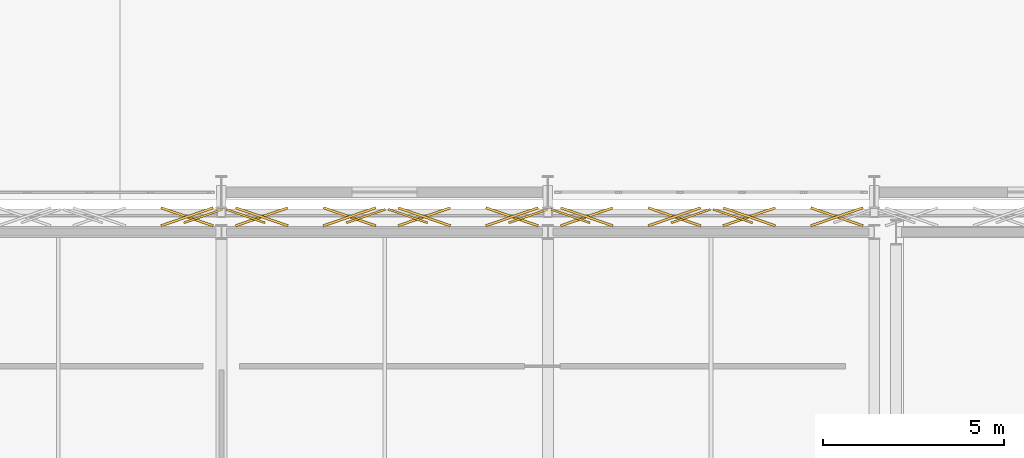
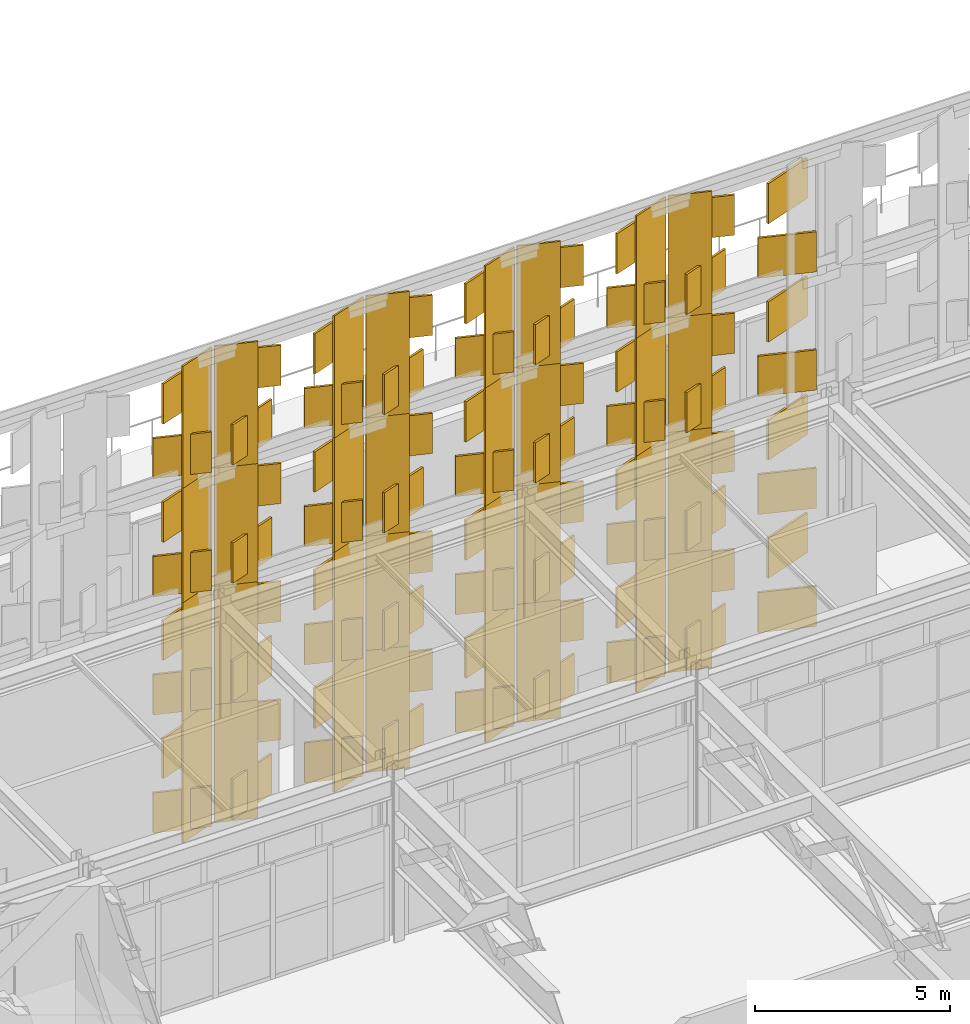
# One storey, part 181 of 210: 104 coverings.
"""IFC4 building model written with IfcOpenShell, lengths in metres."""

from ifc_helpers import new_model, si_unit, direction, frame, origin, origin_2d, place, context, subcontext, project, spatial, rectangle, extrude, material, layer, layer_set, type_object, element, save


model = new_model("IFC4")

# Units and contexts
model_context = context("Model", 3, precision=1e-05, world=origin(), true_north=direction((0.0, 1.0)))
body_context = subcontext(model_context, "Body", "Model", "MODEL_VIEW")
ifc_project = project(units=[si_unit("LENGTHUNIT", "METRE"), si_unit("AREAUNIT", "SQUARE_METRE"), si_unit("VOLUMEUNIT", "CUBIC_METRE"), si_unit("PLANEANGLEUNIT", "RADIAN"), si_unit("MASSUNIT", "GRAM", prefix="KILO")], contexts=[model_context])

# Site, building, storey
site_placement = place(None, origin())
site = spatial("IfcSite", under=ifc_project, at=site_placement, CompositionType="ELEMENT")
building_placement = place(site_placement, origin())
building = spatial("IfcBuilding", under=site, at=building_placement, Name="Kaldris Quays Convention Centre", CompositionType="ELEMENT")
storey_placement = place(building_placement, frame((0.0, 0.0, 6.0)))
storey = spatial("IfcBuildingStorey", under=building, at=storey_placement, Name="L01", CompositionType="ELEMENT", Elevation=6.0)

# Coverings
ifc_material = material(Name="Alabaster white star-pierced anodized aluminium panel", Category="aluminium")
ifc_layer = layer(ifc_material, 0.044921875)
ifc_layer_set = layer_set([ifc_layer], Name="Alabaster white star-pierced anodized aluminium panel")
covering_type = type_object("IfcCoveringType", Name="STAR PIERCED WHITE FOLDED SCREEN CL01", PredefinedType="CLADDING", material=ifc_layer_set)
covering_1_placement = place(storey_placement, frame((64.50341796875, 55.340087890625, -2.2099609375), z_axis=(0.0, 0.0, 1.0), x_axis=(0.945518575599, 0.325568154457, 0.0)))
element("IfcCovering", 1, at=covering_1_placement, inside=storey, type_object=covering_type, Name="V1S Folded White Screen Stile 1297", PredefinedType="CLADDING", context=body_context, shape_type="SweptSolid", body=[
    extrude(rectangle(XDim=1.136962890625, YDim=0.054931640625, at=origin_2d()), origin(), (0.0, 0.0, 1.0), 3.820068359375),
])
for number, where, z_axis, x_axis, name in (
    (2, (64.0556640625, 55.320068359375, -1.92822265625), (0.0, 0.0, 1.0), (0.945518575599, -0.325568154457, 0.0), "V1S Carved Star Corner Facet 1300"),
    (3, (64.0556640625, 55.320068359375, 0.06982421875), (0.0, 0.0, 1.0), (0.945518575599, 0.325568154457, 0.0), "V1S Carved Star Corner Facet 1301"),
):
    element("IfcCovering", number, at=place(storey_placement, frame(where, z_axis=z_axis, x_axis=x_axis)), inside=storey, type_object=covering_type, Name=name, PredefinedType="CLADDING", context=body_context, shape_type="SweptSolid", body=[
        extrude(rectangle(XDim=1.52294921875, YDim=0.06494140625, at=origin_2d()), origin(), (0.0, 0.0, 1.0), 1.258056640625),
    ])
covering_2_placement = place(storey_placement, frame((64.50341796875, 55.340087890625, 1.48974609375), z_axis=(0.0, 0.0, 1.0), x_axis=(0.945518575599, 0.325568154457, 0.0)))
element("IfcCovering", 4, at=covering_2_placement, inside=storey, type_object=covering_type, Name="V1S Folded White Screen Stile 1303", PredefinedType="CLADDING", context=body_context, shape_type="SweptSolid", body=[
    extrude(rectangle(XDim=1.136962890625, YDim=0.054931640625, at=origin_2d()), origin(), (0.0, 0.0, 1.0), 3.820068359375),
])
for number, where, z_axis, x_axis, name in (
    (5, (64.0556640625, 55.320068359375, 1.77197265625), (0.0, 0.0, 1.0), (0.945518575599, -0.325568154457, 0.0), "V1S Carved Star Corner Facet 1306"),
    (6, (64.0556640625, 55.320068359375, 3.77001953125), (0.0, 0.0, 1.0), (0.945518575599, 0.325568154457, 0.0), "V1S Carved Star Corner Facet 1307"),
):
    element("IfcCovering", number, at=place(storey_placement, frame(where, z_axis=z_axis, x_axis=x_axis)), inside=storey, type_object=covering_type, Name=name, PredefinedType="CLADDING", context=body_context, shape_type="SweptSolid", body=[
        extrude(rectangle(XDim=1.52294921875, YDim=0.06494140625, at=origin_2d()), origin(), (0.0, 0.0, 1.0), 1.258056640625),
    ])
covering_3_placement = place(storey_placement, frame((64.50341796875, 55.340087890625, 5.18994140625), z_axis=(0.0, 0.0, 1.0), x_axis=(0.945518575599, 0.325568154457, 0.0)))
element("IfcCovering", 7, at=covering_3_placement, inside=storey, type_object=covering_type, Name="V1S Folded White Screen Stile 1309", PredefinedType="CLADDING", context=body_context, shape_type="SweptSolid", body=[
    extrude(rectangle(XDim=1.136962890625, YDim=0.054931640625, at=origin_2d()), origin(), (0.0, 0.0, 1.0), 3.820068359375),
])
for number, where, z_axis, x_axis, name in (
    (8, (64.0556640625, 55.320068359375, 5.47216796875), (0.0, 0.0, 1.0), (0.945518575599, -0.325568154457, 0.0), "V1S Carved Star Corner Facet 1312"),
    (9, (64.0556640625, 55.320068359375, 7.47021484375), (0.0, 0.0, 1.0), (0.945518575599, 0.325568154457, 0.0), "V1S Carved Star Corner Facet 1313"),
):
    element("IfcCovering", number, at=place(storey_placement, frame(where, z_axis=z_axis, x_axis=x_axis)), inside=storey, type_object=covering_type, Name=name, PredefinedType="CLADDING", context=body_context, shape_type="SweptSolid", body=[
        extrude(rectangle(XDim=1.52294921875, YDim=0.06494140625, at=origin_2d()), origin(), (0.0, 0.0, 1.0), 1.258056640625),
    ])
covering_4_placement = place(storey_placement, frame((64.50341796875, 55.340087890625, 8.89013671875), z_axis=(0.0, 0.0, 1.0), x_axis=(0.945518575599, 0.325568154457, 0.0)))
element("IfcCovering", 10, at=covering_4_placement, inside=storey, type_object=covering_type, Name="V1S Folded White Screen Stile 1315", PredefinedType="CLADDING", context=body_context, shape_type="SweptSolid", body=[
    extrude(rectangle(XDim=1.136962890625, YDim=0.054931640625, at=origin_2d()), origin(), (0.0, 0.0, 1.0), 3.820068359375),
])
for number, where, z_axis, x_axis, name in (
    (11, (64.0556640625, 55.320068359375, 9.171875), (0.0, 0.0, 1.0), (0.945518575599, -0.325568154457, 0.0), "V1S Carved Star Corner Facet 1318"),
    (12, (64.0556640625, 55.320068359375, 11.169921875), (0.0, 0.0, 1.0), (0.945518575599, 0.325568154457, 0.0), "V1S Carved Star Corner Facet 1319"),
):
    element("IfcCovering", number, at=place(storey_placement, frame(where, z_axis=z_axis, x_axis=x_axis)), inside=storey, type_object=covering_type, Name=name, PredefinedType="CLADDING", context=body_context, shape_type="SweptSolid", body=[
        extrude(rectangle(XDim=1.52294921875, YDim=0.06494140625, at=origin_2d()), origin(), (0.0, 0.0, 1.0), 1.258056640625),
    ])
for number, where, z_axis, x_axis, name in (
    (13, (65.66796875, 55.340087890625, -2.2099609375), (0.0, 0.0, 1.0), (0.945518575599, -0.325568154457, 0.0), "V1S Folded White Screen Stile 1320"),
    (14, (68.982177734375, 55.340087890625, -2.2099609375), (0.0, 0.0, 1.0), (0.945518575599, 0.325568154457, 0.0), "V1S Folded White Screen Stile 1321"),
):
    element("IfcCovering", number, at=place(storey_placement, frame(where, z_axis=z_axis, x_axis=x_axis)), inside=storey, type_object=covering_type, Name=name, PredefinedType="CLADDING", context=body_context, shape_type="SweptSolid", body=[
        extrude(rectangle(XDim=1.136962890625, YDim=0.054931640625, at=origin_2d()), origin(), (0.0, 0.0, 1.0), 3.820068359375),
    ])
for number, where, z_axis, x_axis, name in (
    (15, (66.11572265625, 55.320068359375, -1.92822265625), (0.0, 0.0, 1.0), (0.945518575599, 0.325568154457, 0.0), "V1S Carved Star Corner Facet 1322"),
    (16, (66.11572265625, 55.320068359375, 0.06982421875), (0.0, 0.0, 1.0), (0.945518575599, -0.325568154457, 0.0), "V1S Carved Star Corner Facet 1323"),
    (17, (68.5341796875, 55.320068359375, -1.92822265625), (0.0, 0.0, 1.0), (0.945518575599, -0.325568154457, 0.0), "V1S Carved Star Corner Facet 1324"),
    (18, (68.5341796875, 55.320068359375, 0.06982421875), (0.0, 0.0, 1.0), (0.945518575599, 0.325568154457, 0.0), "V1S Carved Star Corner Facet 1325"),
):
    element("IfcCovering", number, at=place(storey_placement, frame(where, z_axis=z_axis, x_axis=x_axis)), inside=storey, type_object=covering_type, Name=name, PredefinedType="CLADDING", context=body_context, shape_type="SweptSolid", body=[
        extrude(rectangle(XDim=1.52294921875, YDim=0.06494140625, at=origin_2d()), origin(), (0.0, 0.0, 1.0), 1.258056640625),
    ])
for number, where, z_axis, x_axis, name in (
    (19, (65.66796875, 55.340087890625, 1.48974609375), (0.0, 0.0, 1.0), (0.945518575599, -0.325568154457, 0.0), "V1S Folded White Screen Stile 1326"),
    (20, (68.982177734375, 55.340087890625, 1.48974609375), (0.0, 0.0, 1.0), (0.945518575599, 0.325568154457, 0.0), "V1S Folded White Screen Stile 1327"),
):
    element("IfcCovering", number, at=place(storey_placement, frame(where, z_axis=z_axis, x_axis=x_axis)), inside=storey, type_object=covering_type, Name=name, PredefinedType="CLADDING", context=body_context, shape_type="SweptSolid", body=[
        extrude(rectangle(XDim=1.136962890625, YDim=0.054931640625, at=origin_2d()), origin(), (0.0, 0.0, 1.0), 3.820068359375),
    ])
for number, where, z_axis, x_axis, name in (
    (21, (66.11572265625, 55.320068359375, 1.77197265625), (0.0, 0.0, 1.0), (0.945518575599, 0.325568154457, 0.0), "V1S Carved Star Corner Facet 1328"),
    (22, (66.11572265625, 55.320068359375, 3.77001953125), (0.0, 0.0, 1.0), (0.945518575599, -0.325568154457, 0.0), "V1S Carved Star Corner Facet 1329"),
    (23, (68.5341796875, 55.320068359375, 1.77197265625), (0.0, 0.0, 1.0), (0.945518575599, -0.325568154457, 0.0), "V1S Carved Star Corner Facet 1330"),
    (24, (68.5341796875, 55.320068359375, 3.77001953125), (0.0, 0.0, 1.0), (0.945518575599, 0.325568154457, 0.0), "V1S Carved Star Corner Facet 1331"),
):
    element("IfcCovering", number, at=place(storey_placement, frame(where, z_axis=z_axis, x_axis=x_axis)), inside=storey, type_object=covering_type, Name=name, PredefinedType="CLADDING", context=body_context, shape_type="SweptSolid", body=[
        extrude(rectangle(XDim=1.52294921875, YDim=0.06494140625, at=origin_2d()), origin(), (0.0, 0.0, 1.0), 1.258056640625),
    ])
for number, where, z_axis, x_axis, name in (
    (25, (65.66796875, 55.340087890625, 5.18994140625), (0.0, 0.0, 1.0), (0.945518575599, -0.325568154457, 0.0), "V1S Folded White Screen Stile 1332"),
    (26, (68.982177734375, 55.340087890625, 5.18994140625), (0.0, 0.0, 1.0), (0.945518575599, 0.325568154457, 0.0), "V1S Folded White Screen Stile 1333"),
):
    element("IfcCovering", number, at=place(storey_placement, frame(where, z_axis=z_axis, x_axis=x_axis)), inside=storey, type_object=covering_type, Name=name, PredefinedType="CLADDING", context=body_context, shape_type="SweptSolid", body=[
        extrude(rectangle(XDim=1.136962890625, YDim=0.054931640625, at=origin_2d()), origin(), (0.0, 0.0, 1.0), 3.820068359375),
    ])
for number, where, z_axis, x_axis, name in (
    (27, (66.11572265625, 55.320068359375, 5.47216796875), (0.0, 0.0, 1.0), (0.945518575599, 0.325568154457, 0.0), "V1S Carved Star Corner Facet 1334"),
    (28, (66.11572265625, 55.320068359375, 7.47021484375), (0.0, 0.0, 1.0), (0.945518575599, -0.325568154457, 0.0), "V1S Carved Star Corner Facet 1335"),
    (29, (68.5341796875, 55.320068359375, 5.47216796875), (0.0, 0.0, 1.0), (0.945518575599, -0.325568154457, 0.0), "V1S Carved Star Corner Facet 1336"),
    (30, (68.5341796875, 55.320068359375, 7.47021484375), (0.0, 0.0, 1.0), (0.945518575599, 0.325568154457, 0.0), "V1S Carved Star Corner Facet 1337"),
):
    element("IfcCovering", number, at=place(storey_placement, frame(where, z_axis=z_axis, x_axis=x_axis)), inside=storey, type_object=covering_type, Name=name, PredefinedType="CLADDING", context=body_context, shape_type="SweptSolid", body=[
        extrude(rectangle(XDim=1.52294921875, YDim=0.06494140625, at=origin_2d()), origin(), (0.0, 0.0, 1.0), 1.258056640625),
    ])
for number, where, z_axis, x_axis, name in (
    (31, (65.66796875, 55.340087890625, 8.89013671875), (0.0, 0.0, 1.0), (0.945518575599, -0.325568154457, 0.0), "V1S Folded White Screen Stile 1338"),
    (32, (68.982177734375, 55.340087890625, 8.89013671875), (0.0, 0.0, 1.0), (0.945518575599, 0.325568154457, 0.0), "V1S Folded White Screen Stile 1339"),
):
    element("IfcCovering", number, at=place(storey_placement, frame(where, z_axis=z_axis, x_axis=x_axis)), inside=storey, type_object=covering_type, Name=name, PredefinedType="CLADDING", context=body_context, shape_type="SweptSolid", body=[
        extrude(rectangle(XDim=1.136962890625, YDim=0.054931640625, at=origin_2d()), origin(), (0.0, 0.0, 1.0), 3.820068359375),
    ])
for number, where, z_axis, x_axis, name in (
    (33, (66.11572265625, 55.320068359375, 9.171875), (0.0, 0.0, 1.0), (0.945518575599, 0.325568154457, 0.0), "V1S Carved Star Corner Facet 1340"),
    (34, (66.11572265625, 55.320068359375, 11.169921875), (0.0, 0.0, 1.0), (0.945518575599, -0.325568154457, 0.0), "V1S Carved Star Corner Facet 1341"),
    (35, (68.5341796875, 55.320068359375, 9.171875), (0.0, 0.0, 1.0), (0.945518575599, -0.325568154457, 0.0), "V1S Carved Star Corner Facet 1342"),
    (36, (68.5341796875, 55.320068359375, 11.169921875), (0.0, 0.0, 1.0), (0.945518575599, 0.325568154457, 0.0), "V1S Carved Star Corner Facet 1343"),
):
    element("IfcCovering", number, at=place(storey_placement, frame(where, z_axis=z_axis, x_axis=x_axis)), inside=storey, type_object=covering_type, Name=name, PredefinedType="CLADDING", context=body_context, shape_type="SweptSolid", body=[
        extrude(rectangle(XDim=1.52294921875, YDim=0.06494140625, at=origin_2d()), origin(), (0.0, 0.0, 1.0), 1.258056640625),
    ])
for number, where, z_axis, x_axis, name in (
    (37, (70.146484375, 55.340087890625, -2.2099609375), (0.0, 0.0, 1.0), (0.945518575599, -0.325568154457, 0.0), "V1S Folded White Screen Stile 1344"),
    (38, (73.460693359375, 55.340087890625, -2.2099609375), (0.0, 0.0, 1.0), (0.945518575599, 0.325568154457, 0.0), "V1S Folded White Screen Stile 1345"),
):
    element("IfcCovering", number, at=place(storey_placement, frame(where, z_axis=z_axis, x_axis=x_axis)), inside=storey, type_object=covering_type, Name=name, PredefinedType="CLADDING", context=body_context, shape_type="SweptSolid", body=[
        extrude(rectangle(XDim=1.136962890625, YDim=0.054931640625, at=origin_2d()), origin(), (0.0, 0.0, 1.0), 3.820068359375),
    ])
for number, where, z_axis, x_axis, name in (
    (39, (70.594482421875, 55.320068359375, -1.92822265625), (0.0, 0.0, 1.0), (0.945518575599, 0.325568154457, 0.0), "V1S Carved Star Corner Facet 1346"),
    (40, (70.594482421875, 55.320068359375, 0.06982421875), (0.0, 0.0, 1.0), (0.945518575599, -0.325568154457, 0.0), "V1S Carved Star Corner Facet 1347"),
    (41, (73.0126953125, 55.320068359375, -1.92822265625), (0.0, 0.0, 1.0), (0.945518575599, -0.325568154457, 0.0), "V1S Carved Star Corner Facet 1348"),
    (42, (73.0126953125, 55.320068359375, 0.06982421875), (0.0, 0.0, 1.0), (0.945518575599, 0.325568154457, 0.0), "V1S Carved Star Corner Facet 1349"),
):
    element("IfcCovering", number, at=place(storey_placement, frame(where, z_axis=z_axis, x_axis=x_axis)), inside=storey, type_object=covering_type, Name=name, PredefinedType="CLADDING", context=body_context, shape_type="SweptSolid", body=[
        extrude(rectangle(XDim=1.52294921875, YDim=0.06494140625, at=origin_2d()), origin(), (0.0, 0.0, 1.0), 1.258056640625),
    ])
for number, where, z_axis, x_axis, name in (
    (43, (70.146484375, 55.340087890625, 1.48974609375), (0.0, 0.0, 1.0), (0.945518575599, -0.325568154457, 0.0), "V1S Folded White Screen Stile 1350"),
    (44, (73.460693359375, 55.340087890625, 1.48974609375), (0.0, 0.0, 1.0), (0.945518575599, 0.325568154457, 0.0), "V1S Folded White Screen Stile 1351"),
):
    element("IfcCovering", number, at=place(storey_placement, frame(where, z_axis=z_axis, x_axis=x_axis)), inside=storey, type_object=covering_type, Name=name, PredefinedType="CLADDING", context=body_context, shape_type="SweptSolid", body=[
        extrude(rectangle(XDim=1.136962890625, YDim=0.054931640625, at=origin_2d()), origin(), (0.0, 0.0, 1.0), 3.820068359375),
    ])
for number, where, z_axis, x_axis, name in (
    (45, (70.594482421875, 55.320068359375, 1.77197265625), (0.0, 0.0, 1.0), (0.945518575599, 0.325568154457, 0.0), "V1S Carved Star Corner Facet 1352"),
    (46, (70.594482421875, 55.320068359375, 3.77001953125), (0.0, 0.0, 1.0), (0.945518575599, -0.325568154457, 0.0), "V1S Carved Star Corner Facet 1353"),
    (47, (73.0126953125, 55.320068359375, 1.77197265625), (0.0, 0.0, 1.0), (0.945518575599, -0.325568154457, 0.0), "V1S Carved Star Corner Facet 1354"),
    (48, (73.0126953125, 55.320068359375, 3.77001953125), (0.0, 0.0, 1.0), (0.945518575599, 0.325568154457, 0.0), "V1S Carved Star Corner Facet 1355"),
):
    element("IfcCovering", number, at=place(storey_placement, frame(where, z_axis=z_axis, x_axis=x_axis)), inside=storey, type_object=covering_type, Name=name, PredefinedType="CLADDING", context=body_context, shape_type="SweptSolid", body=[
        extrude(rectangle(XDim=1.52294921875, YDim=0.06494140625, at=origin_2d()), origin(), (0.0, 0.0, 1.0), 1.258056640625),
    ])
for number, where, z_axis, x_axis, name in (
    (49, (70.146484375, 55.340087890625, 5.18994140625), (0.0, 0.0, 1.0), (0.945518575599, -0.325568154457, 0.0), "V1S Folded White Screen Stile 1356"),
    (50, (73.460693359375, 55.340087890625, 5.18994140625), (0.0, 0.0, 1.0), (0.945518575599, 0.325568154457, 0.0), "V1S Folded White Screen Stile 1357"),
):
    element("IfcCovering", number, at=place(storey_placement, frame(where, z_axis=z_axis, x_axis=x_axis)), inside=storey, type_object=covering_type, Name=name, PredefinedType="CLADDING", context=body_context, shape_type="SweptSolid", body=[
        extrude(rectangle(XDim=1.136962890625, YDim=0.054931640625, at=origin_2d()), origin(), (0.0, 0.0, 1.0), 3.820068359375),
    ])
for number, where, z_axis, x_axis, name in (
    (51, (70.594482421875, 55.320068359375, 5.47216796875), (0.0, 0.0, 1.0), (0.945518575599, 0.325568154457, 0.0), "V1S Carved Star Corner Facet 1358"),
    (52, (70.594482421875, 55.320068359375, 7.47021484375), (0.0, 0.0, 1.0), (0.945518575599, -0.325568154457, 0.0), "V1S Carved Star Corner Facet 1359"),
    (53, (73.0126953125, 55.320068359375, 5.47216796875), (0.0, 0.0, 1.0), (0.945518575599, -0.325568154457, 0.0), "V1S Carved Star Corner Facet 1360"),
    (54, (73.0126953125, 55.320068359375, 7.47021484375), (0.0, 0.0, 1.0), (0.945518575599, 0.325568154457, 0.0), "V1S Carved Star Corner Facet 1361"),
):
    element("IfcCovering", number, at=place(storey_placement, frame(where, z_axis=z_axis, x_axis=x_axis)), inside=storey, type_object=covering_type, Name=name, PredefinedType="CLADDING", context=body_context, shape_type="SweptSolid", body=[
        extrude(rectangle(XDim=1.52294921875, YDim=0.06494140625, at=origin_2d()), origin(), (0.0, 0.0, 1.0), 1.258056640625),
    ])
for number, where, z_axis, x_axis, name in (
    (55, (70.146484375, 55.340087890625, 8.89013671875), (0.0, 0.0, 1.0), (0.945518575599, -0.325568154457, 0.0), "V1S Folded White Screen Stile 1362"),
    (56, (73.460693359375, 55.340087890625, 8.89013671875), (0.0, 0.0, 1.0), (0.945518575599, 0.325568154457, 0.0), "V1S Folded White Screen Stile 1363"),
):
    element("IfcCovering", number, at=place(storey_placement, frame(where, z_axis=z_axis, x_axis=x_axis)), inside=storey, type_object=covering_type, Name=name, PredefinedType="CLADDING", context=body_context, shape_type="SweptSolid", body=[
        extrude(rectangle(XDim=1.136962890625, YDim=0.054931640625, at=origin_2d()), origin(), (0.0, 0.0, 1.0), 3.820068359375),
    ])
for number, where, z_axis, x_axis, name in (
    (57, (70.594482421875, 55.320068359375, 9.171875), (0.0, 0.0, 1.0), (0.945518575599, 0.325568154457, 0.0), "V1S Carved Star Corner Facet 1364"),
    (58, (70.594482421875, 55.320068359375, 11.169921875), (0.0, 0.0, 1.0), (0.945518575599, -0.325568154457, 0.0), "V1S Carved Star Corner Facet 1365"),
    (59, (73.0126953125, 55.320068359375, 9.171875), (0.0, 0.0, 1.0), (0.945518575599, -0.325568154457, 0.0), "V1S Carved Star Corner Facet 1366"),
    (60, (73.0126953125, 55.320068359375, 11.169921875), (0.0, 0.0, 1.0), (0.945518575599, 0.325568154457, 0.0), "V1S Carved Star Corner Facet 1367"),
):
    element("IfcCovering", number, at=place(storey_placement, frame(where, z_axis=z_axis, x_axis=x_axis)), inside=storey, type_object=covering_type, Name=name, PredefinedType="CLADDING", context=body_context, shape_type="SweptSolid", body=[
        extrude(rectangle(XDim=1.52294921875, YDim=0.06494140625, at=origin_2d()), origin(), (0.0, 0.0, 1.0), 1.258056640625),
    ])
for number, where, z_axis, x_axis, name in (
    (61, (74.625, 55.340087890625, -2.2099609375), (0.0, 0.0, 1.0), (0.945518575599, -0.325568154457, 0.0), "V1S Folded White Screen Stile 1368"),
    (62, (77.939208984375, 55.340087890625, -2.2099609375), (0.0, 0.0, 1.0), (0.945518575599, 0.325568154457, 0.0), "V1S Folded White Screen Stile 1369"),
):
    element("IfcCovering", number, at=place(storey_placement, frame(where, z_axis=z_axis, x_axis=x_axis)), inside=storey, type_object=covering_type, Name=name, PredefinedType="CLADDING", context=body_context, shape_type="SweptSolid", body=[
        extrude(rectangle(XDim=1.136962890625, YDim=0.054931640625, at=origin_2d()), origin(), (0.0, 0.0, 1.0), 3.820068359375),
    ])
for number, where, z_axis, x_axis, name in (
    (63, (75.072998046875, 55.320068359375, -1.92822265625), (0.0, 0.0, 1.0), (0.945518575599, 0.325568154457, 0.0), "V1S Carved Star Corner Facet 1370"),
    (64, (75.072998046875, 55.320068359375, 0.06982421875), (0.0, 0.0, 1.0), (0.945518575599, -0.325568154457, 0.0), "V1S Carved Star Corner Facet 1371"),
    (65, (77.491455078125, 55.320068359375, -1.92822265625), (0.0, 0.0, 1.0), (0.945518575599, -0.325568154457, 0.0), "V1S Carved Star Corner Facet 1372"),
    (66, (77.491455078125, 55.320068359375, 0.06982421875), (0.0, 0.0, 1.0), (0.945518575599, 0.325568154457, 0.0), "V1S Carved Star Corner Facet 1373"),
):
    element("IfcCovering", number, at=place(storey_placement, frame(where, z_axis=z_axis, x_axis=x_axis)), inside=storey, type_object=covering_type, Name=name, PredefinedType="CLADDING", context=body_context, shape_type="SweptSolid", body=[
        extrude(rectangle(XDim=1.52294921875, YDim=0.06494140625, at=origin_2d()), origin(), (0.0, 0.0, 1.0), 1.258056640625),
    ])
for number, where, z_axis, x_axis, name in (
    (67, (74.625, 55.340087890625, 1.48974609375), (0.0, 0.0, 1.0), (0.945518575599, -0.325568154457, 0.0), "V1S Folded White Screen Stile 1374"),
    (68, (77.939208984375, 55.340087890625, 1.48974609375), (0.0, 0.0, 1.0), (0.945518575599, 0.325568154457, 0.0), "V1S Folded White Screen Stile 1375"),
):
    element("IfcCovering", number, at=place(storey_placement, frame(where, z_axis=z_axis, x_axis=x_axis)), inside=storey, type_object=covering_type, Name=name, PredefinedType="CLADDING", context=body_context, shape_type="SweptSolid", body=[
        extrude(rectangle(XDim=1.136962890625, YDim=0.054931640625, at=origin_2d()), origin(), (0.0, 0.0, 1.0), 3.820068359375),
    ])
for number, where, z_axis, x_axis, name in (
    (69, (75.072998046875, 55.320068359375, 1.77197265625), (0.0, 0.0, 1.0), (0.945518575599, 0.325568154457, 0.0), "V1S Carved Star Corner Facet 1376"),
    (70, (75.072998046875, 55.320068359375, 3.77001953125), (0.0, 0.0, 1.0), (0.945518575599, -0.325568154457, 0.0), "V1S Carved Star Corner Facet 1377"),
    (71, (77.491455078125, 55.320068359375, 1.77197265625), (0.0, 0.0, 1.0), (0.945518575599, -0.325568154457, 0.0), "V1S Carved Star Corner Facet 1378"),
    (72, (77.491455078125, 55.320068359375, 3.77001953125), (0.0, 0.0, 1.0), (0.945518575599, 0.325568154457, 0.0), "V1S Carved Star Corner Facet 1379"),
):
    element("IfcCovering", number, at=place(storey_placement, frame(where, z_axis=z_axis, x_axis=x_axis)), inside=storey, type_object=covering_type, Name=name, PredefinedType="CLADDING", context=body_context, shape_type="SweptSolid", body=[
        extrude(rectangle(XDim=1.52294921875, YDim=0.06494140625, at=origin_2d()), origin(), (0.0, 0.0, 1.0), 1.258056640625),
    ])
for number, where, z_axis, x_axis, name in (
    (73, (74.625, 55.340087890625, 5.18994140625), (0.0, 0.0, 1.0), (0.945518575599, -0.325568154457, 0.0), "V1S Folded White Screen Stile 1380"),
    (74, (77.939208984375, 55.340087890625, 5.18994140625), (0.0, 0.0, 1.0), (0.945518575599, 0.325568154457, 0.0), "V1S Folded White Screen Stile 1381"),
):
    element("IfcCovering", number, at=place(storey_placement, frame(where, z_axis=z_axis, x_axis=x_axis)), inside=storey, type_object=covering_type, Name=name, PredefinedType="CLADDING", context=body_context, shape_type="SweptSolid", body=[
        extrude(rectangle(XDim=1.136962890625, YDim=0.054931640625, at=origin_2d()), origin(), (0.0, 0.0, 1.0), 3.820068359375),
    ])
for number, where, z_axis, x_axis, name in (
    (75, (75.072998046875, 55.320068359375, 5.47216796875), (0.0, 0.0, 1.0), (0.945518575599, 0.325568154457, 0.0), "V1S Carved Star Corner Facet 1382"),
    (76, (75.072998046875, 55.320068359375, 7.47021484375), (0.0, 0.0, 1.0), (0.945518575599, -0.325568154457, 0.0), "V1S Carved Star Corner Facet 1383"),
    (77, (77.491455078125, 55.320068359375, 5.47216796875), (0.0, 0.0, 1.0), (0.945518575599, -0.325568154457, 0.0), "V1S Carved Star Corner Facet 1384"),
    (78, (77.491455078125, 55.320068359375, 7.47021484375), (0.0, 0.0, 1.0), (0.945518575599, 0.325568154457, 0.0), "V1S Carved Star Corner Facet 1385"),
):
    element("IfcCovering", number, at=place(storey_placement, frame(where, z_axis=z_axis, x_axis=x_axis)), inside=storey, type_object=covering_type, Name=name, PredefinedType="CLADDING", context=body_context, shape_type="SweptSolid", body=[
        extrude(rectangle(XDim=1.52294921875, YDim=0.06494140625, at=origin_2d()), origin(), (0.0, 0.0, 1.0), 1.258056640625),
    ])
for number, where, z_axis, x_axis, name in (
    (79, (74.625, 55.340087890625, 8.89013671875), (0.0, 0.0, 1.0), (0.945518575599, -0.325568154457, 0.0), "V1S Folded White Screen Stile 1386"),
    (80, (77.939208984375, 55.340087890625, 8.89013671875), (0.0, 0.0, 1.0), (0.945518575599, 0.325568154457, 0.0), "V1S Folded White Screen Stile 1387"),
):
    element("IfcCovering", number, at=place(storey_placement, frame(where, z_axis=z_axis, x_axis=x_axis)), inside=storey, type_object=covering_type, Name=name, PredefinedType="CLADDING", context=body_context, shape_type="SweptSolid", body=[
        extrude(rectangle(XDim=1.136962890625, YDim=0.054931640625, at=origin_2d()), origin(), (0.0, 0.0, 1.0), 3.820068359375),
    ])
for number, where, z_axis, x_axis, name in (
    (81, (75.072998046875, 55.320068359375, 9.171875), (0.0, 0.0, 1.0), (0.945518575599, 0.325568154457, 0.0), "V1S Carved Star Corner Facet 1388"),
    (82, (75.072998046875, 55.320068359375, 11.169921875), (0.0, 0.0, 1.0), (0.945518575599, -0.325568154457, 0.0), "V1S Carved Star Corner Facet 1389"),
    (83, (77.491455078125, 55.320068359375, 9.171875), (0.0, 0.0, 1.0), (0.945518575599, -0.325568154457, 0.0), "V1S Carved Star Corner Facet 1390"),
    (84, (77.491455078125, 55.320068359375, 11.169921875), (0.0, 0.0, 1.0), (0.945518575599, 0.325568154457, 0.0), "V1S Carved Star Corner Facet 1391"),
):
    element("IfcCovering", number, at=place(storey_placement, frame(where, z_axis=z_axis, x_axis=x_axis)), inside=storey, type_object=covering_type, Name=name, PredefinedType="CLADDING", context=body_context, shape_type="SweptSolid", body=[
        extrude(rectangle(XDim=1.52294921875, YDim=0.06494140625, at=origin_2d()), origin(), (0.0, 0.0, 1.0), 1.258056640625),
    ])
covering_5_placement = place(storey_placement, frame((79.103515625, 55.340087890625, -2.2099609375), z_axis=(0.0, 0.0, 1.0), x_axis=(0.945518575599, -0.325568154457, 0.0)))
element("IfcCovering", 85, at=covering_5_placement, inside=storey, type_object=covering_type, Name="V1S Folded White Screen Stile 1392", PredefinedType="CLADDING", context=body_context, shape_type="SweptSolid", body=[
    extrude(rectangle(XDim=1.136962890625, YDim=0.054931640625, at=origin_2d()), origin(), (0.0, 0.0, 1.0), 3.820068359375),
])
for number, where, z_axis, x_axis, name in (
    (86, (79.551513671875, 55.320068359375, -1.92822265625), (0.0, 0.0, 1.0), (0.945518575599, 0.325568154457, 0.0), "V1S Carved Star Corner Facet 1394"),
    (87, (79.551513671875, 55.320068359375, 0.06982421875), (0.0, 0.0, 1.0), (0.945518575599, -0.325568154457, 0.0), "V1S Carved Star Corner Facet 1395"),
    (88, (81.969970703125, 55.320068359375, -1.92822265625), (0.0, 0.0, 1.0), (0.945518575599, -0.325568154457, 0.0), "V1S Carved Star Corner Facet 1396"),
    (89, (81.969970703125, 55.320068359375, 0.06982421875), (0.0, 0.0, 1.0), (0.945518575599, 0.325568154457, 0.0), "V1S Carved Star Corner Facet 1397"),
):
    element("IfcCovering", number, at=place(storey_placement, frame(where, z_axis=z_axis, x_axis=x_axis)), inside=storey, type_object=covering_type, Name=name, PredefinedType="CLADDING", context=body_context, shape_type="SweptSolid", body=[
        extrude(rectangle(XDim=1.52294921875, YDim=0.06494140625, at=origin_2d()), origin(), (0.0, 0.0, 1.0), 1.258056640625),
    ])
covering_6_placement = place(storey_placement, frame((79.103515625, 55.340087890625, 1.48974609375), z_axis=(0.0, 0.0, 1.0), x_axis=(0.945518575599, -0.325568154457, 0.0)))
element("IfcCovering", 90, at=covering_6_placement, inside=storey, type_object=covering_type, Name="V1S Folded White Screen Stile 1398", PredefinedType="CLADDING", context=body_context, shape_type="SweptSolid", body=[
    extrude(rectangle(XDim=1.136962890625, YDim=0.054931640625, at=origin_2d()), origin(), (0.0, 0.0, 1.0), 3.820068359375),
])
for number, where, z_axis, x_axis, name in (
    (91, (79.551513671875, 55.320068359375, 1.77197265625), (0.0, 0.0, 1.0), (0.945518575599, 0.325568154457, 0.0), "V1S Carved Star Corner Facet 1400"),
    (92, (79.551513671875, 55.320068359375, 3.77001953125), (0.0, 0.0, 1.0), (0.945518575599, -0.325568154457, 0.0), "V1S Carved Star Corner Facet 1401"),
    (93, (81.969970703125, 55.320068359375, 1.77197265625), (0.0, 0.0, 1.0), (0.945518575599, -0.325568154457, 0.0), "V1S Carved Star Corner Facet 1402"),
    (94, (81.969970703125, 55.320068359375, 3.77001953125), (0.0, 0.0, 1.0), (0.945518575599, 0.325568154457, 0.0), "V1S Carved Star Corner Facet 1403"),
):
    element("IfcCovering", number, at=place(storey_placement, frame(where, z_axis=z_axis, x_axis=x_axis)), inside=storey, type_object=covering_type, Name=name, PredefinedType="CLADDING", context=body_context, shape_type="SweptSolid", body=[
        extrude(rectangle(XDim=1.52294921875, YDim=0.06494140625, at=origin_2d()), origin(), (0.0, 0.0, 1.0), 1.258056640625),
    ])
covering_7_placement = place(storey_placement, frame((79.103515625, 55.340087890625, 5.18994140625), z_axis=(0.0, 0.0, 1.0), x_axis=(0.945518575599, -0.325568154457, 0.0)))
element("IfcCovering", 95, at=covering_7_placement, inside=storey, type_object=covering_type, Name="V1S Folded White Screen Stile 1404", PredefinedType="CLADDING", context=body_context, shape_type="SweptSolid", body=[
    extrude(rectangle(XDim=1.136962890625, YDim=0.054931640625, at=origin_2d()), origin(), (0.0, 0.0, 1.0), 3.820068359375),
])
for number, where, z_axis, x_axis, name in (
    (96, (79.551513671875, 55.320068359375, 5.47216796875), (0.0, 0.0, 1.0), (0.945518575599, 0.325568154457, 0.0), "V1S Carved Star Corner Facet 1406"),
    (97, (79.551513671875, 55.320068359375, 7.47021484375), (0.0, 0.0, 1.0), (0.945518575599, -0.325568154457, 0.0), "V1S Carved Star Corner Facet 1407"),
    (98, (81.969970703125, 55.320068359375, 5.47216796875), (0.0, 0.0, 1.0), (0.945518575599, -0.325568154457, 0.0), "V1S Carved Star Corner Facet 1408"),
    (99, (81.969970703125, 55.320068359375, 7.47021484375), (0.0, 0.0, 1.0), (0.945518575599, 0.325568154457, 0.0), "V1S Carved Star Corner Facet 1409"),
):
    element("IfcCovering", number, at=place(storey_placement, frame(where, z_axis=z_axis, x_axis=x_axis)), inside=storey, type_object=covering_type, Name=name, PredefinedType="CLADDING", context=body_context, shape_type="SweptSolid", body=[
        extrude(rectangle(XDim=1.52294921875, YDim=0.06494140625, at=origin_2d()), origin(), (0.0, 0.0, 1.0), 1.258056640625),
    ])
covering_8_placement = place(storey_placement, frame((79.103515625, 55.340087890625, 8.89013671875), z_axis=(0.0, 0.0, 1.0), x_axis=(0.945518575599, -0.325568154457, 0.0)))
element("IfcCovering", 100, at=covering_8_placement, inside=storey, type_object=covering_type, Name="V1S Folded White Screen Stile 1410", PredefinedType="CLADDING", context=body_context, shape_type="SweptSolid", body=[
    extrude(rectangle(XDim=1.136962890625, YDim=0.054931640625, at=origin_2d()), origin(), (0.0, 0.0, 1.0), 3.820068359375),
])
for number, where, z_axis, x_axis, name in (
    (101, (79.551513671875, 55.320068359375, 9.171875), (0.0, 0.0, 1.0), (0.945518575599, 0.325568154457, 0.0), "V1S Carved Star Corner Facet 1412"),
    (102, (79.551513671875, 55.320068359375, 11.169921875), (0.0, 0.0, 1.0), (0.945518575599, -0.325568154457, 0.0), "V1S Carved Star Corner Facet 1413"),
    (103, (81.969970703125, 55.320068359375, 9.171875), (0.0, 0.0, 1.0), (0.945518575599, -0.325568154457, 0.0), "V1S Carved Star Corner Facet 1414"),
    (104, (81.969970703125, 55.320068359375, 11.169921875), (0.0, 0.0, 1.0), (0.945518575599, 0.325568154457, 0.0), "V1S Carved Star Corner Facet 1415"),
):
    element("IfcCovering", number, at=place(storey_placement, frame(where, z_axis=z_axis, x_axis=x_axis)), inside=storey, type_object=covering_type, Name=name, PredefinedType="CLADDING", context=body_context, shape_type="SweptSolid", body=[
        extrude(rectangle(XDim=1.52294921875, YDim=0.06494140625, at=origin_2d()), origin(), (0.0, 0.0, 1.0), 1.258056640625),
    ])

save(model, "model.ifc")
